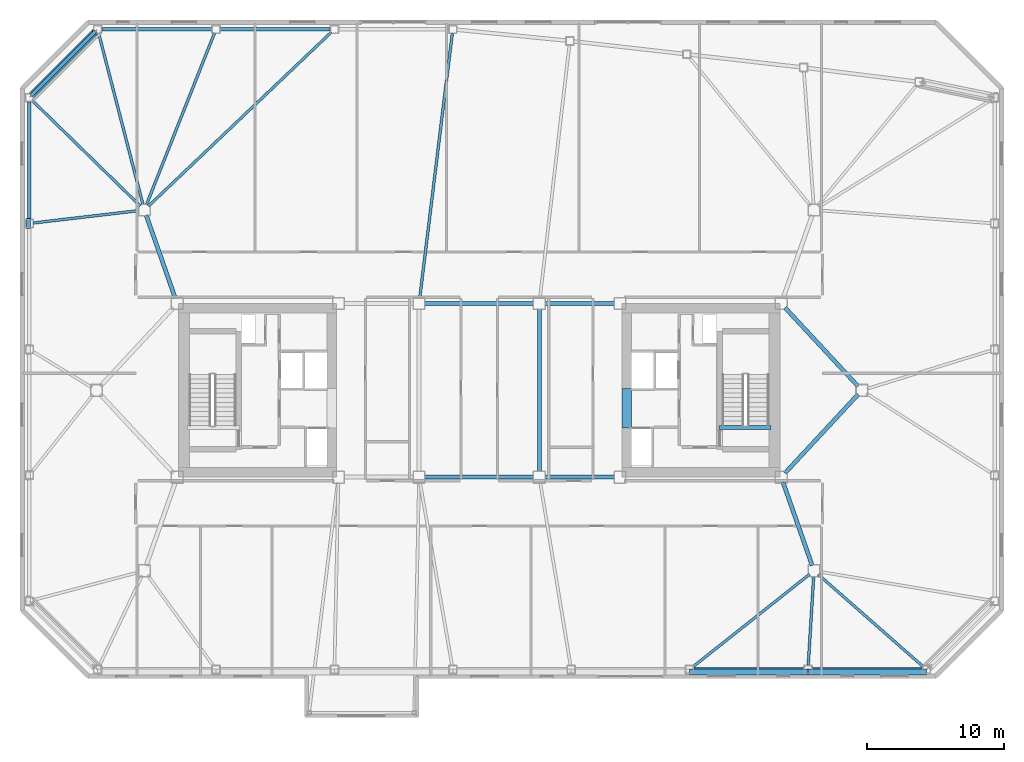
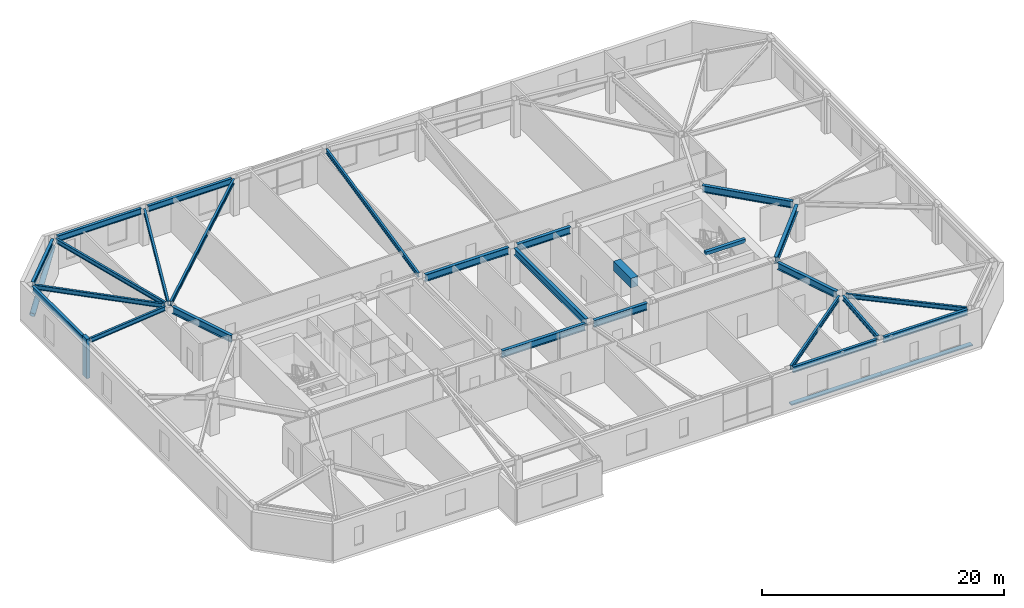
# One storey, part 4 of 16: 26 beams, 4 members.
"""IFC4 building model written with IfcOpenShell, lengths in metres."""

from ifc_helpers import new_model, si_unit, direction, frame, origin, origin_2d, place, context, subcontext, project, spatial, rectangle, hollow_circle, i_section, extrude, material, material_profile, profile_set, type_object, element, save


model = new_model("IFC4")

# Units and contexts
model_context = context("Model", 3, precision=1e-05, world=origin(), true_north=direction((0.0, 1.0)))
body_context = subcontext(model_context, "Body", "Model", "MODEL_VIEW")
ifc_project = project(units=[si_unit("LENGTHUNIT", "METRE"), si_unit("AREAUNIT", "SQUARE_METRE"), si_unit("VOLUMEUNIT", "CUBIC_METRE"), si_unit("PLANEANGLEUNIT", "RADIAN"), si_unit("MASSUNIT", "GRAM", prefix="KILO")], contexts=[model_context])

# Site, building, storey
site_placement = place(None, origin())
site = spatial("IfcSite", under=ifc_project, at=site_placement, CompositionType="ELEMENT")
building_placement = place(site_placement, origin())
building = spatial("IfcBuilding", under=site, at=building_placement, Name="Tavrogorsk Clinical Tower", CompositionType="ELEMENT")
storey_placement = place(building_placement, frame((0.0, 0.0, 164.199951171875)))
storey = spatial("IfcBuildingStorey", under=building, at=storey_placement, Name="L37", CompositionType="ELEMENT", Elevation=164.199951171875)

# Members
ifc_material_1 = material(Name="Anodised aluminium alloy AW-6063", Category="aluminium")
ifc_material_profile_1 = material_profile(ifc_material_1, rectangle(XDim=0.449951171875, YDim=0.1201171875, at=origin_2d()), Name="ALU-SUNSHADE-450x120")
ifc_profile_set_1 = profile_set([ifc_material_profile_1], Name="Anodised aluminium alloy AW-6063")
member_type_1 = type_object("IfcMemberType", Name="ChicagoSunshade_450x120", PredefinedType="USERDEFINED", material=ifc_profile_set_1)
for number, where, z_axis, x_axis, name in (
    (1, (15.394287109375, -20.60009765625, 0.179931640625), (1.0, 0.0, 0.0), (0.0, 1.0, 0.0), "L37 South Aluminium Sunshade S6"),
    (2, (24.05712890625, -20.60009765625, 0.179931640625), (1.0, 0.0, 0.0), (0.0, 1.0, 0.0), "L37 South Aluminium Sunshade S7"),
):
    element("IfcMember", number, at=place(storey_placement, frame(where, z_axis=z_axis, x_axis=x_axis)), inside=storey, type_object=member_type_1, Name=name, ObjectType="SUNSHADE", PredefinedType="USERDEFINED", context=body_context, shape_type="SweptSolid", body=[
        extrude(rectangle(XDim=0.449951171875, YDim=0.1201171875, at=origin_2d()), origin(), (0.0, 0.0, 1.0), 8.662841796875),
    ])

# Beam
ifc_material_2 = material(Name="Concrete B80", Category="concrete")
ifc_material_profile_2 = material_profile(ifc_material_2, rectangle(XDim=0.699951171875, YDim=0.949951171875, at=origin_2d()), Name="RC-CB-700x950")
ifc_profile_set_2 = profile_set([ifc_material_profile_2], Name="Concrete B80")
beam_type_1 = type_object("IfcBeamType", Name="CouplingBeam_RC700x950", PredefinedType="LINTEL", material=ifc_profile_set_2)
beam_1_placement = place(storey_placement, frame((10.800048828125, -2.75, 3.26513671875), z_axis=(0.0, 1.0, 0.0), x_axis=(-1.0, 0.0, 0.0)))
element("IfcBeam", 3, at=beam_1_placement, inside=storey, type_object=beam_type_1, Name="L37 Core East Coupling Beam", PredefinedType="LINTEL", context=body_context, shape_type="SweptSolid", body=[
    extrude(rectangle(XDim=0.699951171875, YDim=0.949951171875, at=origin_2d()), origin(), (0.0, 0.0, 1.0), 2.89990234375),
])

# Member
ifc_material_3 = material(Name="Structural steel S440", Category="steel")
ifc_material_profile_3 = material_profile(ifc_material_3, hollow_circle(Radius=0.25390625, WallThickness=0.02001953125, at=origin_2d()), Name="CHS-508x20")
ifc_profile_set_3 = profile_set([ifc_material_profile_3], Name="Structural steel S440")
member_type_2 = type_object("IfcMemberType", Name="ExoBrace_CHS508", PredefinedType="BRACE", material=ifc_profile_set_3)
member_1_placement = place(storey_placement, frame((-32.717529296875, 21.62255859375, 0.4130859375), z_axis=(0.657758524103, 0.657758524103, 0.367025132572), x_axis=(-0.707106781187, 0.707106781187, 0.0)))
element("IfcMember", 4, at=member_1_placement, inside=storey, type_object=member_type_2, Name="L37 Corner Exoskeleton Brace N8-W1", PredefinedType="BRACE", context=body_context, shape_type="SweptSolid", body=[
    extrude(hollow_circle(Radius=0.25390625, WallThickness=0.02001953125, at=origin_2d()), origin(), (0.0, 0.0, 1.0), 6.98583984375),
])

# Beams
ifc_material_4 = material(Name="Structural steel S355", Category="steel")
ifc_material_profile_4 = material_profile(ifc_material_4, i_section(OverallWidth=0.199951171875, OverallDepth=0.449951171875, WebThickness=0.011474609375, FlangeThickness=0.01806640625, at=origin_2d()), Name="B-450x200x11.5x18")
ifc_profile_set_4 = profile_set([ifc_material_profile_4], Name="Structural steel S355")
beam_type_2 = type_object("IfcBeamType", Name="FloorBeam_B450", PredefinedType="BEAM", material=ifc_profile_set_4)
beam_2_placement = place(storey_placement, frame((24.1787109375, -13.454833984375, 3.51513671875), z_axis=(-0.783566094727, -0.621308438052, 0.0), x_axis=(0.621308438052, -0.783566094727, 0.0)))
element("IfcBeam", 5, at=beam_2_placement, inside=storey, type_object=beam_type_2, Name="L37 Radial Floor Beam S6", PredefinedType="BEAM", context=body_context, shape_type="SweptSolid", body=[
    extrude(i_section(OverallWidth=0.199951171875, OverallDepth=0.449951171875, WebThickness=0.011474609375, FlangeThickness=0.01806640625, at=origin_2d()), origin(), (0.0, 0.0, 1.0), 10.902587890625),
])
beam_3_placement = place(storey_placement, frame((24.474853515625, -13.609130859375, 3.51513671875), z_axis=(-0.061225862048, -0.998123937102, 0.0), x_axis=(0.998123937102, -0.061225862048, 0.0)))
element("IfcBeam", 6, at=beam_3_placement, inside=storey, type_object=beam_type_2, Name="L37 Radial Floor Beam S7", PredefinedType="BEAM", context=body_context, shape_type="SweptSolid", body=[
    extrude(i_section(OverallWidth=0.199951171875, OverallDepth=0.449951171875, WebThickness=0.011474609375, FlangeThickness=0.01806640625, at=origin_2d()), origin(), (0.0, 0.0, 1.0), 6.515625),
])
beam_4_placement = place(storey_placement, frame((24.80810546875, -13.470458984375, 3.51513671875), z_axis=(0.751316315352, -0.659942265874, 0.0), x_axis=(0.659942265874, 0.751316315352, 0.0)))
element("IfcBeam", 7, at=beam_4_placement, inside=storey, type_object=beam_type_2, Name="L37 Radial Floor Beam S8", PredefinedType="BEAM", context=body_context, shape_type="SweptSolid", body=[
    extrude(i_section(OverallWidth=0.199951171875, OverallDepth=0.449951171875, WebThickness=0.011474609375, FlangeThickness=0.01806640625, at=origin_2d()), origin(), (0.0, 0.0, 1.0), 10.22265625),
])
beam_5_placement = place(storey_placement, frame((-4.349853515625, 6.7568359375, 3.51513671875), z_axis=(0.122074764034, 0.992520907581, 0.0), x_axis=(-0.992520907581, 0.122074764034, 0.0)))
element("IfcBeam", 8, at=beam_5_placement, inside=storey, type_object=beam_type_2, Name="L37 Radial Floor Beam N5", PredefinedType="BEAM", context=body_context, shape_type="SweptSolid", body=[
    extrude(i_section(OverallWidth=0.199951171875, OverallDepth=0.449951171875, WebThickness=0.011474609375, FlangeThickness=0.01806640625, at=origin_2d()), origin(), (0.0, 0.0, 1.0), 19.503173828125),
])
beam_6_placement = place(storey_placement, frame((-24.202880859375, 13.482421875, 3.51513671875), z_axis=(0.724746572965, 0.689015533189, 0.0), x_axis=(-0.689015533189, 0.724746572965, 0.0)))
element("IfcBeam", 9, at=beam_6_placement, inside=storey, type_object=beam_type_2, Name="L37 Radial Floor Beam N6", PredefinedType="BEAM", context=body_context, shape_type="SweptSolid", body=[
    extrude(i_section(OverallWidth=0.199951171875, OverallDepth=0.449951171875, WebThickness=0.011474609375, FlangeThickness=0.01806640625, at=origin_2d()), origin(), (0.0, 0.0, 1.0), 18.468994140625),
])
beam_7_placement = place(storey_placement, frame((-24.348876953125, 13.5810546875, 3.51513671875), z_axis=(0.368655349184, 0.929566153384, 0.0), x_axis=(-0.929566153384, 0.368655349184, 0.0)))
element("IfcBeam", 10, at=beam_7_placement, inside=storey, type_object=beam_type_2, Name="L37 Radial Floor Beam N7", PredefinedType="BEAM", context=body_context, shape_type="SweptSolid", body=[
    extrude(i_section(OverallWidth=0.199951171875, OverallDepth=0.449951171875, WebThickness=0.011474609375, FlangeThickness=0.01806640625, at=origin_2d()), origin(), (0.0, 0.0, 1.0), 13.50390625),
])
beam_8_placement = place(storey_placement, frame((-24.602783203125, 13.596923828125, 3.51513671875), z_axis=(-0.25044015559, 0.96813208214, 0.0), x_axis=(-0.96813208214, -0.25044015559, 0.0)))
element("IfcBeam", 11, at=beam_8_placement, inside=storey, type_object=beam_type_2, Name="L37 Radial Floor Beam N8", PredefinedType="BEAM", context=body_context, shape_type="SweptSolid", body=[
    extrude(i_section(OverallWidth=0.199951171875, OverallDepth=0.449951171875, WebThickness=0.011474609375, FlangeThickness=0.01806640625, at=origin_2d()), origin(), (0.0, 0.0, 1.0), 12.937255859375),
])
beam_9_placement = place(storey_placement, frame((-24.79345703125, 13.486328125, 3.51513671875), z_axis=(-0.715551590144, 0.698559891378, 0.0), x_axis=(-0.698559891378, -0.715551590144, 0.0)))
element("IfcBeam", 12, at=beam_9_placement, inside=storey, type_object=beam_type_2, Name="L37 Radial Floor Beam W1", PredefinedType="BEAM", context=body_context, shape_type="SweptSolid", body=[
    extrude(i_section(OverallWidth=0.199951171875, OverallDepth=0.449951171875, WebThickness=0.011474609375, FlangeThickness=0.01806640625, at=origin_2d()), origin(), (0.0, 0.0, 1.0), 11.049072265625),
])
beam_10_placement = place(storey_placement, frame((-24.9072265625, 13.152099609375, 3.51513671875), z_axis=(-0.993157045518, -0.116786484397, 0.0), x_axis=(0.116786484397, -0.993157045518, 0.0)))
element("IfcBeam", 13, at=beam_10_placement, inside=storey, type_object=beam_type_2, Name="L37 Radial Floor Beam W2", PredefinedType="BEAM", context=body_context, shape_type="SweptSolid", body=[
    extrude(i_section(OverallWidth=0.199951171875, OverallDepth=0.449951171875, WebThickness=0.011474609375, FlangeThickness=0.01806640625, at=origin_2d()), origin(), (0.0, 0.0, 1.0), 7.759765625),
])

# Member
ifc_material_5 = material(Name="Precast concrete B45 with limestone cladding", Category="masonry")
ifc_material_profile_5 = material_profile(ifc_material_5, rectangle(XDim=0.320068359375, YDim=0.719970703125, at=origin_2d()), Name="LIMESTONE-FIN-320x720")
ifc_profile_set_5 = profile_set([ifc_material_profile_5], Name="Precast concrete B45 with limestone cladding")
member_type_3 = type_object("IfcMemberType", Name="LimestonePleatFin_320x720", PredefinedType="USERDEFINED", material=ifc_profile_set_5)
member_2_placement = place(storey_placement, frame((-33.0, 12.2099609375, 0.0), z_axis=(0.0, 0.0, 1.0), x_axis=(1.0, 0.0, 0.0)))
element("IfcMember", 14, at=member_2_placement, inside=storey, type_object=member_type_3, Name="L37 W Pleated Stone Fin 1", ObjectType="FIN", PredefinedType="USERDEFINED", context=body_context, shape_type="SweptSolid", body=[
    extrude(rectangle(XDim=0.320068359375, YDim=0.719970703125, at=origin_2d()), origin(), (0.0, 0.0, 1.0), 4.0),
])

# Beams
ifc_material_6 = material(Name="Structural steel S390", Category="steel")
ifc_material_profile_6 = material_profile(ifc_material_6, i_section(OverallWidth=0.300048828125, OverallDepth=0.699951171875, WebThickness=0.01708984375, FlangeThickness=0.028076171875, at=origin_2d()), Name="B-700x300x17x28")
ifc_profile_set_6 = profile_set([ifc_material_profile_6], Name="Structural steel S390")
beam_type_3 = type_object("IfcBeamType", Name="PrimaryGirder_B700", PredefinedType="USERDEFINED", material=ifc_profile_set_6)
for number, where, z_axis, x_axis, name in (
    (15, (-3.989990234375, -6.35009765625, 3.39013671875), (1.0, 0.0, 0.0), (0.0, 1.0, 0.0), "L37 Primary Spine Girder MG-03"),
    (16, (-3.989990234375, 6.35009765625, 3.39013671875), (1.0, 0.0, 0.0), (0.0, 1.0, 0.0), "L37 Primary Spine Girder MG-04"),
):
    element("IfcBeam", number, at=place(storey_placement, frame(where, z_axis=z_axis, x_axis=x_axis)), inside=storey, type_object=beam_type_3, Name=name, ObjectType="GIRDER", PredefinedType="USERDEFINED", context=body_context, shape_type="SweptSolid", body=[
        extrude(i_section(OverallWidth=0.300048828125, OverallDepth=0.699951171875, WebThickness=0.01708984375, FlangeThickness=0.028076171875, at=origin_2d()), origin(), (0.0, 0.0, 1.0), 7.97998046875),
    ])
for number, where, z_axis, x_axis, name in (
    (17, (4.81005859375, -6.35009765625, 3.39013671875), (1.0, 0.0, 0.0), (0.0, 1.0, 0.0), "L37 Primary Spine Girder MG-05"),
    (18, (4.81005859375, 6.35009765625, 3.39013671875), (1.0, 0.0, 0.0), (0.0, 1.0, 0.0), "L37 Primary Spine Girder MG-06"),
):
    element("IfcBeam", number, at=place(storey_placement, frame(where, z_axis=z_axis, x_axis=x_axis)), inside=storey, type_object=beam_type_3, Name=name, ObjectType="GIRDER", PredefinedType="USERDEFINED", context=body_context, shape_type="SweptSolid", body=[
        extrude(i_section(OverallWidth=0.300048828125, OverallDepth=0.699951171875, WebThickness=0.01708984375, FlangeThickness=0.028076171875, at=origin_2d()), origin(), (0.0, 0.0, 1.0), 5.079833984375),
    ])
beam_11_placement = place(storey_placement, frame((4.39990234375, -5.93994140625, 3.39013671875), z_axis=(0.0, 1.0, 0.0), x_axis=(-1.0, 0.0, 0.0)))
element("IfcBeam", 19, at=beam_11_placement, inside=storey, type_object=beam_type_3, Name="L37 Primary Spine Girder MG-08", ObjectType="GIRDER", PredefinedType="USERDEFINED", context=body_context, shape_type="SweptSolid", body=[
    extrude(i_section(OverallWidth=0.300048828125, OverallDepth=0.699951171875, WebThickness=0.01708984375, FlangeThickness=0.028076171875, at=origin_2d()), origin(), (0.0, 0.0, 1.0), 11.8798828125),
])
for number, where, z_axis, x_axis, name in (
    (20, (24.364501953125, -12.81298828125, 3.39013671875), (-0.330673031392, 0.94374538214, 0.0), (-0.94374538214, -0.330673031392, 0.0), "L37 Spine Link Girder OPG-2"),
    (21, (-24.364501953125, 12.81298828125, 3.39013671875), (0.330673031392, -0.94374538214, 0.0), (0.94374538214, 0.330673031392, 0.0), "L37 Spine Link Girder OPG-3"),
):
    element("IfcBeam", number, at=place(storey_placement, frame(where, z_axis=z_axis, x_axis=x_axis)), inside=storey, type_object=beam_type_3, Name=name, ObjectType="GIRDER", PredefinedType="USERDEFINED", context=body_context, shape_type="SweptSolid", body=[
        extrude(i_section(OverallWidth=0.300048828125, OverallDepth=0.699951171875, WebThickness=0.01708984375, FlangeThickness=0.028076171875, at=origin_2d()), origin(), (0.0, 0.0, 1.0), 6.43798828125),
    ])
for number, where, z_axis, x_axis, name in (
    (22, (27.720947265625, -0.30029296875, 3.39013671875), (-0.680669430215, -0.732590695253, 0.0), (0.732590695253, -0.680669430215, 0.0), "L37 Spine Link Girder OPG-7"),
    (23, (27.720947265625, 0.30029296875, 3.39013671875), (-0.680669430215, 0.732590695253, 0.0), (-0.732590695253, -0.680669430215, 0.0), "L37 Spine Link Girder OPG-8"),
):
    element("IfcBeam", number, at=place(storey_placement, frame(where, z_axis=z_axis, x_axis=x_axis)), inside=storey, type_object=beam_type_3, Name=name, ObjectType="GIRDER", PredefinedType="USERDEFINED", context=body_context, shape_type="SweptSolid", body=[
        extrude(i_section(OverallWidth=0.300048828125, OverallDepth=0.699951171875, WebThickness=0.01708984375, FlangeThickness=0.028076171875, at=origin_2d()), origin(), (0.0, 0.0, 1.0), 7.847900390625),
    ])
ifc_material_7 = material(Name="Structural steel S390", Category="steel")
ifc_material_profile_7 = material_profile(ifc_material_7, i_section(OverallWidth=0.260009765625, OverallDepth=0.60009765625, WebThickness=0.014892578125, FlangeThickness=0.02392578125, at=origin_2d()), Name="B-600x260x15x24")
ifc_profile_set_7 = profile_set([ifc_material_profile_7], Name="Structural steel S390")
beam_type_4 = type_object("IfcBeamType", Name="SpandrelBeam_B600", PredefinedType="SPANDREL", material=ifc_profile_set_7)
beam_12_placement = place(storey_placement, frame((15.702392578125, -20.419921875, 3.43994140625), z_axis=(1.0, 0.0, 0.0), x_axis=(0.0, 1.0, 0.0)))
element("IfcBeam", 24, at=beam_12_placement, inside=storey, type_object=beam_type_4, Name="L37 Perimeter Spandrel S6-S7", PredefinedType="SPANDREL", context=body_context, shape_type="SweptSolid", body=[
    extrude(i_section(OverallWidth=0.260009765625, OverallDepth=0.60009765625, WebThickness=0.014892578125, FlangeThickness=0.02392578125, at=origin_2d()), origin(), (0.0, 0.0, 1.0), 8.046630859375),
])
beam_13_placement = place(storey_placement, frame((24.364990234375, -20.419921875, 3.43994140625), z_axis=(1.0, 0.0, 0.0), x_axis=(0.0, 1.0, 0.0)))
element("IfcBeam", 25, at=beam_13_placement, inside=storey, type_object=beam_type_4, Name="L37 Perimeter Spandrel S7-S8", PredefinedType="SPANDREL", context=body_context, shape_type="SweptSolid", body=[
    extrude(i_section(OverallWidth=0.260009765625, OverallDepth=0.60009765625, WebThickness=0.014892578125, FlangeThickness=0.02392578125, at=origin_2d()), origin(), (0.0, 0.0, 1.0), 8.047119140625),
])
for number, where, z_axis, x_axis, name in (
    (26, (-10.90234375, 26.419921875, 3.43994140625), (-1.0, 0.0, 0.0), (0.0, -1.0, 0.0), "L37 Perimeter Spandrel N6-N7"),
    (27, (-19.565185546875, 26.419921875, 3.43994140625), (-1.0, 0.0, 0.0), (0.0, -1.0, 0.0), "L37 Perimeter Spandrel N7-N8"),
):
    element("IfcBeam", number, at=place(storey_placement, frame(where, z_axis=z_axis, x_axis=x_axis)), inside=storey, type_object=beam_type_4, Name=name, PredefinedType="SPANDREL", context=body_context, shape_type="SweptSolid", body=[
        extrude(i_section(OverallWidth=0.260009765625, OverallDepth=0.60009765625, WebThickness=0.014892578125, FlangeThickness=0.02392578125, at=origin_2d()), origin(), (0.0, 0.0, 1.0), 8.046875),
    ])
beam_14_placement = place(storey_placement, frame((-28.1376953125, 26.2021484375, 3.43994140625), z_axis=(-0.707106781187, -0.707106781187, 0.0), x_axis=(0.707106781187, -0.707106781187, 0.0)))
element("IfcBeam", 28, at=beam_14_placement, inside=storey, type_object=beam_type_4, Name="L37 Perimeter Spandrel N8-W1", PredefinedType="SPANDREL", context=body_context, shape_type="SweptSolid", body=[
    extrude(i_section(OverallWidth=0.260009765625, OverallDepth=0.60009765625, WebThickness=0.014892578125, FlangeThickness=0.02392578125, at=origin_2d()), origin(), (0.0, 0.0, 1.0), 6.455078125),
])
beam_15_placement = place(storey_placement, frame((-32.919921875, 21.112060546875, 3.43994140625), z_axis=(0.0, -1.0, 0.0), x_axis=(1.0, 0.0, 0.0)))
element("IfcBeam", 29, at=beam_15_placement, inside=storey, type_object=beam_type_4, Name="L37 Perimeter Spandrel W1-W2", PredefinedType="SPANDREL", context=body_context, shape_type="SweptSolid", body=[
    extrude(i_section(OverallWidth=0.260009765625, OverallDepth=0.60009765625, WebThickness=0.014892578125, FlangeThickness=0.02392578125, at=origin_2d()), origin(), (0.0, 0.0, 1.0), 8.593994140625),
])
ifc_material_8 = material(Name="Concrete B60", Category="concrete")
ifc_material_profile_8 = material_profile(ifc_material_8, rectangle(XDim=0.300048828125, YDim=0.35009765625, at=origin_2d()), Name="RC-SHB-300x350")
ifc_profile_set_8 = profile_set([ifc_material_profile_8], Name="Concrete B60")
beam_type_5 = type_object("IfcBeamType", Name="StairHeaderBeam_RC300x350", PredefinedType="BEAM", material=ifc_profile_set_8)
beam_16_placement = place(storey_placement, frame((17.550048828125, -2.719970703125, 3.824951171875), z_axis=(1.0, 0.0, 0.0), x_axis=(0.0, 1.0, 0.0)))
element("IfcBeam", 30, at=beam_16_placement, inside=storey, type_object=beam_type_5, Name="L38 ST-E Landing Header Beam", PredefinedType="BEAM", context=body_context, shape_type="SweptSolid", body=[
    extrude(rectangle(XDim=0.300048828125, YDim=0.35009765625, at=origin_2d()), origin(), (0.0, 0.0, 1.0), 3.800048828125),
])

save(model, "model.ifc")
